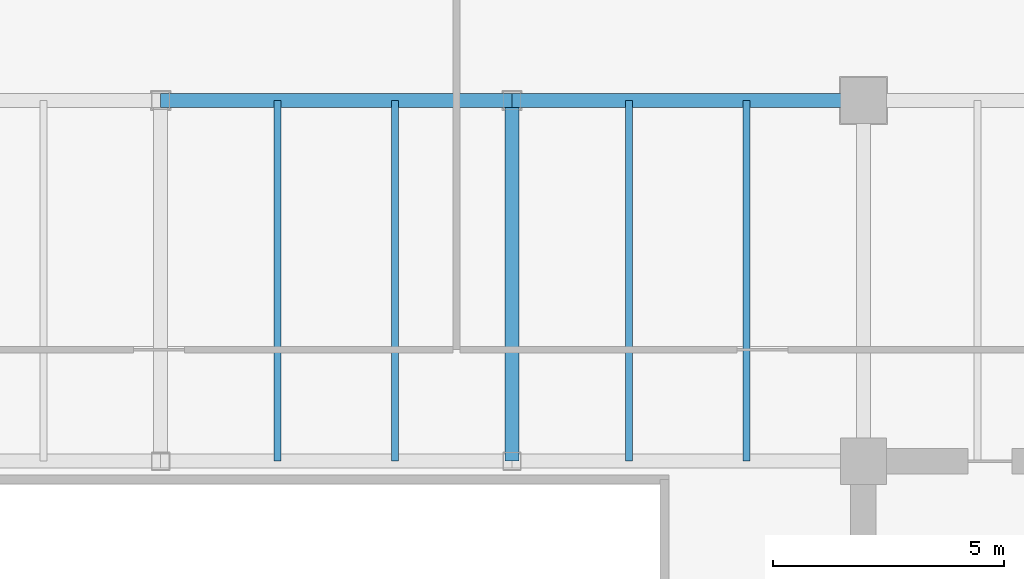
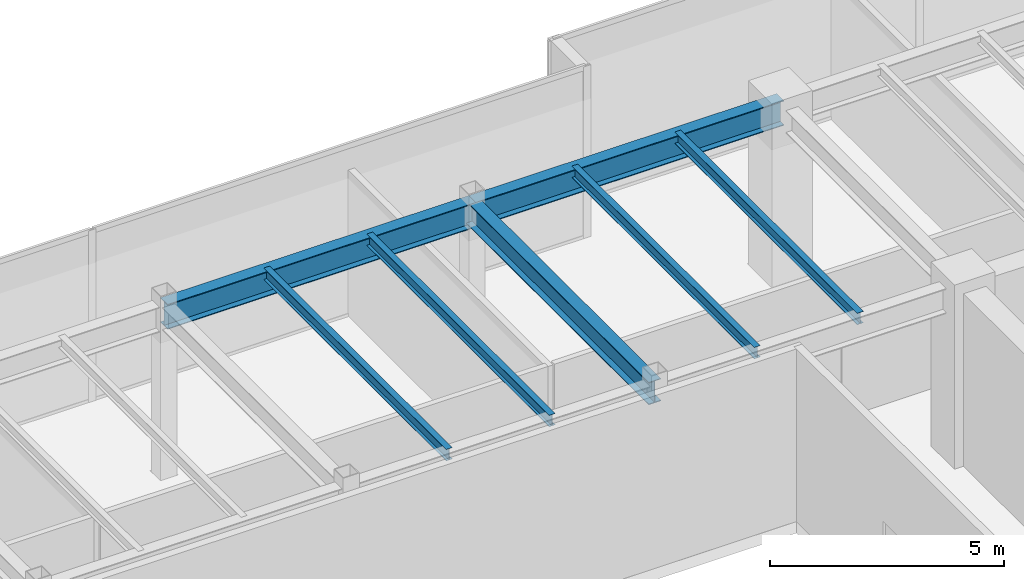
# One storey, part 18 of 37: 7 beams.
"""IFC4 building model written with IfcOpenShell, lengths in metres."""

from ifc_helpers import new_model, si_unit, direction, frame, origin, origin_2d, place, context, subcontext, project, spatial, i_section, extrude, source, transform, mapped, material, material_profile, profile_set, type_object, type_shapes, element, save


model = new_model("IFC4")

# Units and contexts
model_context = context("Model", 3, precision=1e-05, world=origin(), true_north=direction((0.0, 1.0)))
body_context = subcontext(model_context, "Body", "Model", "MODEL_VIEW")
ifc_project = project(units=[si_unit("LENGTHUNIT", "METRE"), si_unit("AREAUNIT", "SQUARE_METRE"), si_unit("VOLUMEUNIT", "CUBIC_METRE"), si_unit("PLANEANGLEUNIT", "RADIAN"), si_unit("MASSUNIT", "GRAM", prefix="KILO")], contexts=[model_context])

# Site, building, storey
site_placement = place(None, origin())
site = spatial("IfcSite", under=ifc_project, at=site_placement, CompositionType="ELEMENT")
building_placement = place(site_placement, origin())
building = spatial("IfcBuilding", under=site, at=building_placement, Name="Haelvirn Gate Laboratories", CompositionType="ELEMENT")
storey_placement = place(building_placement, frame((0.0, 0.0, 196.60009765625)))
storey = spatial("IfcBuildingStorey", under=building, at=storey_placement, Name="L47", CompositionType="ELEMENT", Elevation=196.60009765625)

# Beams
ifc_material = material(Name="Steel SM355", Category="steel")
ifc_material_profile_1 = material_profile(ifc_material, i_section(OverallWidth=0.14990234375, OverallDepth=0.300048828125, WebThickness=0.006591796875, FlangeThickness=0.009033203125, at=origin_2d()), Name="H-300x150x6.5x9")
ifc_profile_set_1 = profile_set([ifc_material_profile_1], Name="Steel SM355")
beam_type_1 = type_object("IfcBeamType", Name="BM-J-300", PredefinedType="JOIST", material=ifc_profile_set_1)
shared_shape_1 = source(origin(), body_context, "Body", "SweptSolid", [
    extrude(i_section(OverallWidth=0.14990234375, OverallDepth=0.300048828125, WebThickness=0.006591796875, FlangeThickness=0.009033203125, at=origin_2d()), origin(), (0.0, 0.0, 1.0), 7.800048828125),
])
type_shapes(beam_type_1, [shared_shape_1])
for number, where, z_axis, x_axis, name in (
    (1, (39.929931640625, 33.800048828125, 4.349853515625), (0.0, 1.0, 0.0), (-1.0, 0.0, 0.0), "L47 Composite Lab Joist North X39.93"),
    (2, (42.469970703125, 33.800048828125, 4.349853515625), (0.0, 1.0, 0.0), (-1.0, 0.0, 0.0), "L47 Composite Lab Joist North X42.47"),
    (3, (47.530029296875, 33.800048828125, 4.349853515625), (0.0, 1.0, 0.0), (-1.0, 0.0, 0.0), "L47 Composite Lab Joist North X47.53"),
    (4, (50.070068359375, 33.800048828125, 4.349853515625), (0.0, 1.0, 0.0), (-1.0, 0.0, 0.0), "L47 Composite Lab Joist North X50.07"),
):
    element("IfcBeam", number, at=place(storey_placement, frame(where, z_axis=z_axis, x_axis=x_axis)), inside=storey, type_object=beam_type_1, Name=name, PredefinedType="JOIST", context=body_context, shape_type="MappedRepresentation", body=[
        mapped(shared_shape_1, transform((0.0, 0.0, 0.0), scale=1.0)),
    ])
ifc_material_profile_2 = material_profile(ifc_material, i_section(OverallWidth=0.300048828125, OverallDepth=0.587890625, WebThickness=0.011962890625, FlangeThickness=0.02001953125, at=origin_2d()), Name="H-588x300x12x20")
ifc_profile_set_2 = profile_set([ifc_material_profile_2], Name="Steel SM355")
beam_type_2 = type_object("IfcBeamType", Name="BM-G-588", PredefinedType="BEAM", material=ifc_profile_set_2)
shared_shape_2 = source(origin(), body_context, "Body", "SweptSolid", [
    extrude(i_section(OverallWidth=0.300048828125, OverallDepth=0.587890625, WebThickness=0.011962890625, FlangeThickness=0.02001953125, at=origin_2d()), origin(), (0.0, 0.0, 1.0), 7.800048828125),
])
type_shapes(beam_type_2, [shared_shape_2])
beam_placement = place(storey_placement, frame((45.0, 33.800048828125, 4.205810546875), z_axis=(0.0, 1.0, 0.0), x_axis=(-1.0, 0.0, 0.0)))
element("IfcBeam", 5, at=beam_placement, inside=storey, type_object=beam_type_2, Name="L47 Frame Girder X45.0 (33.8-41.6)", PredefinedType="BEAM", context=body_context, shape_type="MappedRepresentation", body=[
    mapped(shared_shape_2, transform((0.0, 0.0, 0.0), scale=1.0)),
])
ifc_material_profile_3 = material_profile(ifc_material, i_section(OverallWidth=0.300048828125, OverallDepth=0.64990234375, WebThickness=0.012939453125, FlangeThickness=0.02197265625, at=origin_2d()), Name="H-650x300x13x22")
ifc_profile_set_3 = profile_set([ifc_material_profile_3], Name="Steel SM355")
beam_type_3 = type_object("IfcBeamType", Name="BM-G-650", PredefinedType="BEAM", material=ifc_profile_set_3)
shared_shape_3 = source(origin(), body_context, "Body", "SweptSolid", [
    extrude(i_section(OverallWidth=0.300048828125, OverallDepth=0.64990234375, WebThickness=0.012939453125, FlangeThickness=0.02197265625, at=origin_2d()), origin(), (0.0, 0.0, 1.0), 7.60009765625),
])
type_shapes(beam_type_3, [shared_shape_3])
for number, where, z_axis, x_axis, name in (
    (6, (37.39990234375, 41.60009765625, 4.1748046875), (1.0, 0.0, 0.0), (0.0, 1.0, 0.0), "L47 Primary Girder Y41.6 (37.4-45.0)"),
    (7, (45.0, 41.60009765625, 4.1748046875), (1.0, 0.0, 0.0), (0.0, 1.0, 0.0), "L47 Primary Girder Y41.6 (45.0-52.6)"),
):
    element("IfcBeam", number, at=place(storey_placement, frame(where, z_axis=z_axis, x_axis=x_axis)), inside=storey, type_object=beam_type_3, Name=name, PredefinedType="BEAM", context=body_context, shape_type="MappedRepresentation", body=[
        mapped(shared_shape_3, transform((0.0, 0.0, 0.0), scale=1.0)),
    ])

save(model, "model.ifc")
